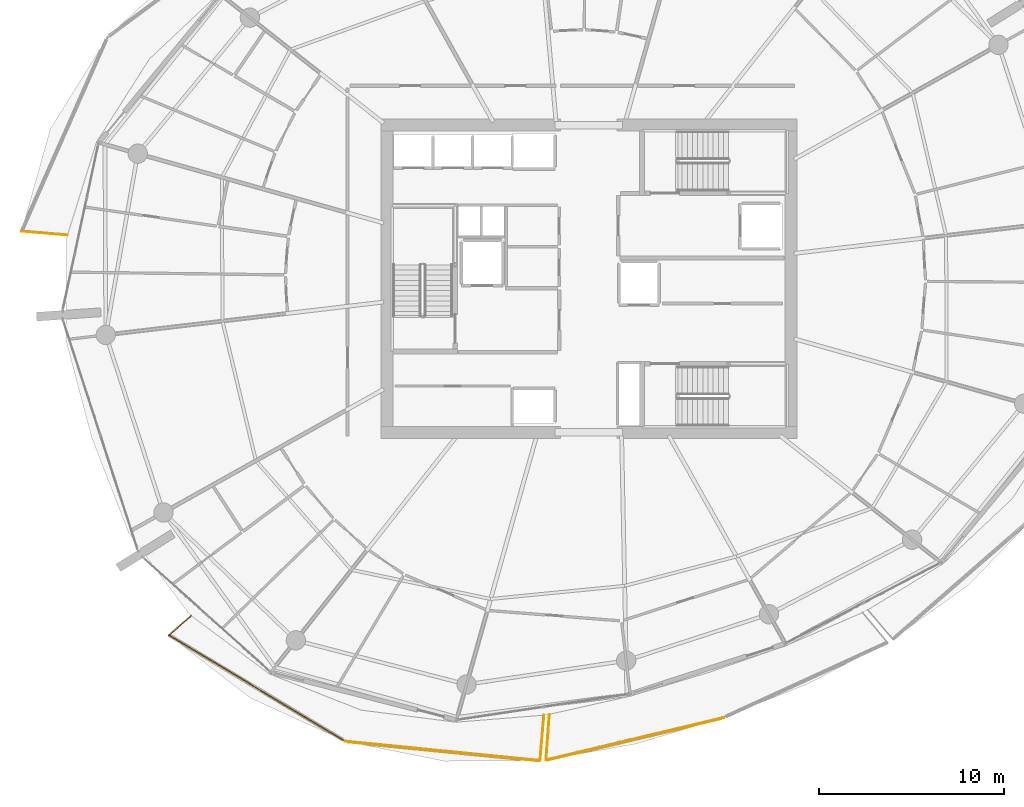
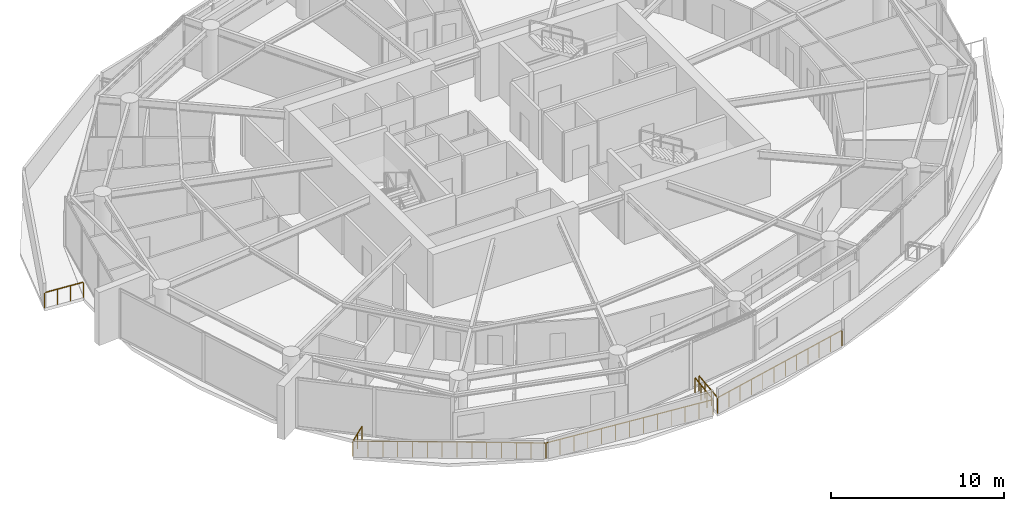
# One storey, part 15 of 19: 7 railings.
"""IFC4 building model written with IfcOpenShell, lengths in metres."""

from ifc_helpers import new_model, si_unit, direction, frame, origin, origin_2d, place, context, subcontext, project, spatial, rectangle, extrude, material, type_object, element, save


model = new_model("IFC4")

# Units and contexts
model_context = context("Model", 3, precision=1e-05, world=origin(), true_north=direction((0.0, 1.0)))
body_context = subcontext(model_context, "Body", "Model", "MODEL_VIEW")
ifc_project = project(units=[si_unit("LENGTHUNIT", "METRE"), si_unit("AREAUNIT", "SQUARE_METRE"), si_unit("VOLUMEUNIT", "CUBIC_METRE"), si_unit("PLANEANGLEUNIT", "RADIAN"), si_unit("MASSUNIT", "GRAM", prefix="KILO")], contexts=[model_context])

# Site, building, storey
site_placement = place(None, origin())
site = spatial("IfcSite", under=ifc_project, at=site_placement, CompositionType="ELEMENT")
building_placement = place(site_placement, origin())
building = spatial("IfcBuilding", under=site, at=building_placement, Name="Kazma Halo Residences", CompositionType="ELEMENT")
storey_placement = place(building_placement, frame((0.0, 0.0, 199.050048828125)))
storey = spatial("IfcBuildingStorey", under=building, at=storey_placement, Name="L50", CompositionType="ELEMENT", Elevation=199.050048828125)

# Railings
ifc_material = material(Name="Aluminium AW-6063 T6 Brushed Cap Rail", Category="aluminium")
railing_type = type_object("IfcRailingType", Name="RLG-BAL-CAP-1120", PredefinedType="BALUSTRADE", material=ifc_material)
railing_1_placement = place(storey_placement, frame((17.681396484375, 44.572509765625, 0.0)))
element("IfcRailing", 1, at=railing_1_placement, inside=storey, type_object=railing_type, Name="L50 NW wave balcony guard 4", PredefinedType="BALUSTRADE", context=body_context, shape_type="SweptSolid", body=[
    extrude(rectangle(XDim=0.050048828125, YDim=0.050048828125, at=origin_2d()), frame((0.04248046875, -0.003662109375, 1.09521484375), z_axis=(0.996423136174, -0.084504045452, 0.0), x_axis=(0.084504045452, 0.996423136174, 0.0)), (0.0, 0.0, 1.0), 2.408203125),
    extrude(rectangle(XDim=0.0400390625, YDim=0.0400390625, at=origin_2d()), origin(), (0.0, 0.0, 1.0), 1.05810546875),
    extrude(rectangle(XDim=0.0400390625, YDim=0.0400390625, at=origin_2d()), frame((0.828125, -0.0703125, 0.0)), (0.0, 0.0, 1.0), 1.05810546875),
    extrude(rectangle(XDim=0.0400390625, YDim=0.0400390625, at=origin_2d()), frame((1.65625, -0.140380859375, 0.0)), (0.0, 0.0, 1.0), 1.05810546875),
    extrude(rectangle(XDim=0.0400390625, YDim=0.0400390625, at=origin_2d()), frame((2.484375, -0.210693359375, 0.0)), (0.0, 0.0, 1.0), 1.05810546875),
])
railing_2_placement = place(storey_placement, frame((26.869873046875, 23.728759765625, 0.0)))
element("IfcRailing", 2, at=railing_2_placement, inside=storey, type_object=railing_type, Name="L50 SW wave balcony guard 1", PredefinedType="BALUSTRADE", context=body_context, shape_type="SweptSolid", body=[
    extrude(rectangle(XDim=0.050048828125, YDim=0.050048828125, at=origin_2d()), frame((-0.0322265625, -0.02783203125, 1.09521484375), z_axis=(-0.75646932185, -0.654029177559, 0.0), x_axis=(0.654029177559, -0.75646932185, 0.0)), (0.0, 0.0, 1.0), 1.51416015625),
    extrude(rectangle(XDim=0.0400390625, YDim=0.0400390625, at=origin_2d()), origin(), (0.0, 0.0, 1.0), 1.05810546875),
    extrude(rectangle(XDim=0.0400390625, YDim=0.0400390625, at=origin_2d()), frame((-0.60498046875, -0.52294921875, 0.0)), (0.0, 0.0, 1.0), 1.05810546875),
    extrude(rectangle(XDim=0.0400390625, YDim=0.0400390625, at=origin_2d()), frame((-1.209716796875, -1.0458984375, 0.0)), (0.0, 0.0, 1.0), 1.05810546875),
])
railing_3_placement = place(storey_placement, frame((25.66015625, 22.682861328125, 0.0)))
element("IfcRailing", 3, at=railing_3_placement, inside=storey, type_object=railing_type, Name="L50 SW wave balcony guard 2", PredefinedType="BALUSTRADE", context=body_context, shape_type="SweptSolid", body=[
    extrude(rectangle(XDim=0.050048828125, YDim=0.050048828125, at=origin_2d()), frame((0.036376953125, -0.02197265625, 1.09521484375), z_axis=(0.856762611856, -0.515710991667, 0.0), x_axis=(0.515710991667, 0.856762611856, 0.0)), (0.0, 0.0, 1.0), 11.077880859375),
    extrude(rectangle(XDim=0.0400390625, YDim=0.0400390625, at=origin_2d()), origin(), (0.0, 0.0, 1.0), 1.05810546875),
    extrude(rectangle(XDim=0.0400390625, YDim=0.0400390625, at=origin_2d()), frame((0.735595703125, -0.44287109375, 0.0)), (0.0, 0.0, 1.0), 1.05810546875),
    extrude(rectangle(XDim=0.0400390625, YDim=0.0400390625, at=origin_2d()), frame((1.471435546875, -0.8857421875, 0.0)), (0.0, 0.0, 1.0), 1.05810546875),
    extrude(rectangle(XDim=0.0400390625, YDim=0.0400390625, at=origin_2d()), frame((2.20703125, -1.32861328125, 0.0)), (0.0, 0.0, 1.0), 1.05810546875),
    extrude(rectangle(XDim=0.0400390625, YDim=0.0400390625, at=origin_2d()), frame((2.94287109375, -1.771240234375, 0.0)), (0.0, 0.0, 1.0), 1.05810546875),
    extrude(rectangle(XDim=0.0400390625, YDim=0.0400390625, at=origin_2d()), frame((3.678466796875, -2.214111328125, 0.0)), (0.0, 0.0, 1.0), 1.05810546875),
    extrude(rectangle(XDim=0.0400390625, YDim=0.0400390625, at=origin_2d()), frame((4.4140625, -2.656982421875, 0.0)), (0.0, 0.0, 1.0), 1.05810546875),
    extrude(rectangle(XDim=0.0400390625, YDim=0.0400390625, at=origin_2d()), frame((5.14990234375, -3.099853515625, 0.0)), (0.0, 0.0, 1.0), 1.05810546875),
    extrude(rectangle(XDim=0.0400390625, YDim=0.0400390625, at=origin_2d()), frame((5.885498046875, -3.542724609375, 0.0)), (0.0, 0.0, 1.0), 1.05810546875),
    extrude(rectangle(XDim=0.0400390625, YDim=0.0400390625, at=origin_2d()), frame((6.62109375, -3.985595703125, 0.0)), (0.0, 0.0, 1.0), 1.05810546875),
    extrude(rectangle(XDim=0.0400390625, YDim=0.0400390625, at=origin_2d()), frame((7.35693359375, -4.42822265625, 0.0)), (0.0, 0.0, 1.0), 1.05810546875),
    extrude(rectangle(XDim=0.0400390625, YDim=0.0400390625, at=origin_2d()), frame((8.092529296875, -4.87109375, 0.0)), (0.0, 0.0, 1.0), 1.05810546875),
    extrude(rectangle(XDim=0.0400390625, YDim=0.0400390625, at=origin_2d()), frame((8.828369140625, -5.31396484375, 0.0)), (0.0, 0.0, 1.0), 1.05810546875),
    extrude(rectangle(XDim=0.0400390625, YDim=0.0400390625, at=origin_2d()), frame((9.56396484375, -5.7568359375, 0.0)), (0.0, 0.0, 1.0), 1.05810546875),
])
railing_4_placement = place(storey_placement, frame((35.22412109375, 16.926025390625, 0.0)))
element("IfcRailing", 4, at=railing_4_placement, inside=storey, type_object=railing_type, Name="L50 SW wave balcony guard 3", PredefinedType="BALUSTRADE", context=body_context, shape_type="SweptSolid", body=[
    extrude(rectangle(XDim=0.050048828125, YDim=0.050048828125, at=origin_2d()), frame((0.042236328125, -0.004150390625, 1.09521484375), z_axis=(0.995155616271, -0.098312254603, 0.0), x_axis=(0.098312254603, 0.995155616271, 0.0)), (0.0, 0.0, 1.0), 10.526123046875),
    extrude(rectangle(XDim=0.0400390625, YDim=0.0400390625, at=origin_2d()), origin(), (0.0, 0.0, 1.0), 1.05810546875),
    extrude(rectangle(XDim=0.0400390625, YDim=0.0400390625, at=origin_2d()), frame((0.8798828125, -0.0869140625, 0.0)), (0.0, 0.0, 1.0), 1.05810546875),
    extrude(rectangle(XDim=0.0400390625, YDim=0.0400390625, at=origin_2d()), frame((1.760009765625, -0.173828125, 0.0)), (0.0, 0.0, 1.0), 1.05810546875),
    extrude(rectangle(XDim=0.0400390625, YDim=0.0400390625, at=origin_2d()), frame((2.639892578125, -0.2607421875, 0.0)), (0.0, 0.0, 1.0), 1.05810546875),
    extrude(rectangle(XDim=0.0400390625, YDim=0.0400390625, at=origin_2d()), frame((3.52001953125, -0.34765625, 0.0)), (0.0, 0.0, 1.0), 1.05810546875),
    extrude(rectangle(XDim=0.0400390625, YDim=0.0400390625, at=origin_2d()), frame((4.39990234375, -0.4345703125, 0.0)), (0.0, 0.0, 1.0), 1.05810546875),
    extrude(rectangle(XDim=0.0400390625, YDim=0.0400390625, at=origin_2d()), frame((5.27978515625, -0.521484375, 0.0)), (0.0, 0.0, 1.0), 1.05810546875),
    extrude(rectangle(XDim=0.0400390625, YDim=0.0400390625, at=origin_2d()), frame((6.159912109375, -0.608642578125, 0.0)), (0.0, 0.0, 1.0), 1.05810546875),
    extrude(rectangle(XDim=0.0400390625, YDim=0.0400390625, at=origin_2d()), frame((7.039794921875, -0.695556640625, 0.0)), (0.0, 0.0, 1.0), 1.05810546875),
    extrude(rectangle(XDim=0.0400390625, YDim=0.0400390625, at=origin_2d()), frame((7.919921875, -0.782470703125, 0.0)), (0.0, 0.0, 1.0), 1.05810546875),
    extrude(rectangle(XDim=0.0400390625, YDim=0.0400390625, at=origin_2d()), frame((8.7998046875, -0.869384765625, 0.0)), (0.0, 0.0, 1.0), 1.05810546875),
    extrude(rectangle(XDim=0.0400390625, YDim=0.0400390625, at=origin_2d()), frame((9.679931640625, -0.956298828125, 0.0)), (0.0, 0.0, 1.0), 1.05810546875),
    extrude(rectangle(XDim=0.0400390625, YDim=0.0400390625, at=origin_2d()), frame((10.559814453125, -1.043212890625, 0.0)), (0.0, 0.0, 1.0), 1.05810546875),
])
railing_5_placement = place(storey_placement, frame((45.783935546875, 15.8828125, 0.0)))
element("IfcRailing", 5, at=railing_5_placement, inside=storey, type_object=railing_type, Name="L50 SW wave balcony guard 4", PredefinedType="BALUSTRADE", context=body_context, shape_type="SweptSolid", body=[
    extrude(rectangle(XDim=0.050048828125, YDim=0.050048828125, at=origin_2d()), frame((0.003662109375, 0.04248046875, 1.09521484375), z_axis=(0.084607744457, 0.996414336297, 0.0), x_axis=(-0.996414336297, 0.084607744457, 0.0)), (0.0, 0.0, 1.0), 2.385009765625),
    extrude(rectangle(XDim=0.0400390625, YDim=0.0400390625, at=origin_2d()), origin(), (0.0, 0.0, 1.0), 1.05810546875),
    extrude(rectangle(XDim=0.0400390625, YDim=0.0400390625, at=origin_2d()), frame((0.069580078125, 0.8203125, 0.0)), (0.0, 0.0, 1.0), 1.05810546875),
    extrude(rectangle(XDim=0.0400390625, YDim=0.0400390625, at=origin_2d()), frame((0.139404296875, 1.640869140625, 0.0)), (0.0, 0.0, 1.0), 1.05810546875),
    extrude(rectangle(XDim=0.0400390625, YDim=0.0400390625, at=origin_2d()), frame((0.208984375, 2.461181640625, 0.0)), (0.0, 0.0, 1.0), 1.05810546875),
])
railing_6_placement = place(storey_placement, frame((46.286865234375, 18.387939453125, 0.0)))
element("IfcRailing", 6, at=railing_6_placement, inside=storey, type_object=railing_type, Name="L50 SSE wave balcony guard 1", PredefinedType="BALUSTRADE", context=body_context, shape_type="SweptSolid", body=[
    extrude(rectangle(XDim=0.050048828125, YDim=0.050048828125, at=origin_2d()), frame((-0.003173828125, -0.04248046875, 1.09521484375), z_axis=(-0.072387851321, -0.997376558267, 0.0), x_axis=(0.997376558267, -0.072387851321, 0.0)), (0.0, 0.0, 1.0), 2.393798828125),
    extrude(rectangle(XDim=0.0400390625, YDim=0.0400390625, at=origin_2d()), origin(), (0.0, 0.0, 1.0), 1.05810546875),
    extrude(rectangle(XDim=0.0400390625, YDim=0.0400390625, at=origin_2d()), frame((-0.059814453125, -0.82421875, 0.0)), (0.0, 0.0, 1.0), 1.05810546875),
    extrude(rectangle(XDim=0.0400390625, YDim=0.0400390625, at=origin_2d()), frame((-0.11962890625, -1.648193359375, 0.0)), (0.0, 0.0, 1.0), 1.05810546875),
    extrude(rectangle(XDim=0.0400390625, YDim=0.0400390625, at=origin_2d()), frame((-0.179443359375, -2.472412109375, 0.0)), (0.0, 0.0, 1.0), 1.05810546875),
])
railing_7_placement = place(storey_placement, frame((46.107421875, 15.91552734375, 0.0)))
element("IfcRailing", 7, at=railing_7_placement, inside=storey, type_object=railing_type, Name="L50 SSE wave balcony guard 2", PredefinedType="BALUSTRADE", context=body_context, shape_type="SweptSolid", body=[
    extrude(rectangle(XDim=0.050048828125, YDim=0.050048828125, at=origin_2d()), frame((0.04150390625, 0.009765625, 1.09521484375), z_axis=(0.972746600398, 0.231870764468, 0.0), x_axis=(-0.231870764468, 0.972746600398, 0.0)), (0.0, 0.0, 1.0), 9.80712890625),
    extrude(rectangle(XDim=0.0400390625, YDim=0.0400390625, at=origin_2d()), origin(), (0.0, 0.0, 1.0), 1.05810546875),
    extrude(rectangle(XDim=0.0400390625, YDim=0.0400390625, at=origin_2d()), frame((0.874755859375, 0.20849609375, 0.0)), (0.0, 0.0, 1.0), 1.05810546875),
    extrude(rectangle(XDim=0.0400390625, YDim=0.0400390625, at=origin_2d()), frame((1.74951171875, 0.4169921875, 0.0)), (0.0, 0.0, 1.0), 1.05810546875),
    extrude(rectangle(XDim=0.0400390625, YDim=0.0400390625, at=origin_2d()), frame((2.624267578125, 0.62548828125, 0.0)), (0.0, 0.0, 1.0), 1.05810546875),
    extrude(rectangle(XDim=0.0400390625, YDim=0.0400390625, at=origin_2d()), frame((3.4990234375, 0.833984375, 0.0)), (0.0, 0.0, 1.0), 1.05810546875),
    extrude(rectangle(XDim=0.0400390625, YDim=0.0400390625, at=origin_2d()), frame((4.373779296875, 1.04248046875, 0.0)), (0.0, 0.0, 1.0), 1.05810546875),
    extrude(rectangle(XDim=0.0400390625, YDim=0.0400390625, at=origin_2d()), frame((5.248779296875, 1.251220703125, 0.0)), (0.0, 0.0, 1.0), 1.05810546875),
    extrude(rectangle(XDim=0.0400390625, YDim=0.0400390625, at=origin_2d()), frame((6.12353515625, 1.459716796875, 0.0)), (0.0, 0.0, 1.0), 1.05810546875),
    extrude(rectangle(XDim=0.0400390625, YDim=0.0400390625, at=origin_2d()), frame((6.998291015625, 1.668212890625, 0.0)), (0.0, 0.0, 1.0), 1.05810546875),
    extrude(rectangle(XDim=0.0400390625, YDim=0.0400390625, at=origin_2d()), frame((7.873046875, 1.876708984375, 0.0)), (0.0, 0.0, 1.0), 1.05810546875),
    extrude(rectangle(XDim=0.0400390625, YDim=0.0400390625, at=origin_2d()), frame((8.747802734375, 2.085205078125, 0.0)), (0.0, 0.0, 1.0), 1.05810546875),
    extrude(rectangle(XDim=0.0400390625, YDim=0.0400390625, at=origin_2d()), frame((9.62255859375, 2.293701171875, 0.0)), (0.0, 0.0, 1.0), 1.05810546875),
])

save(model, "model.ifc")
